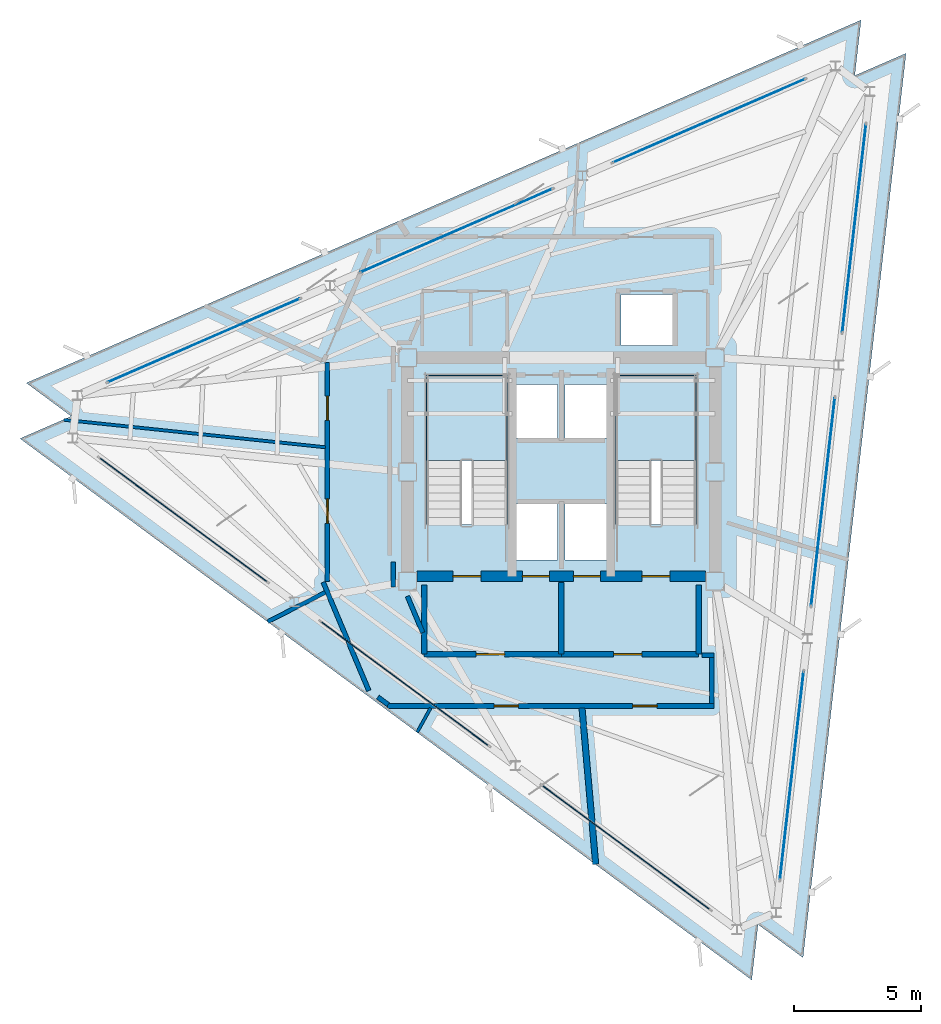
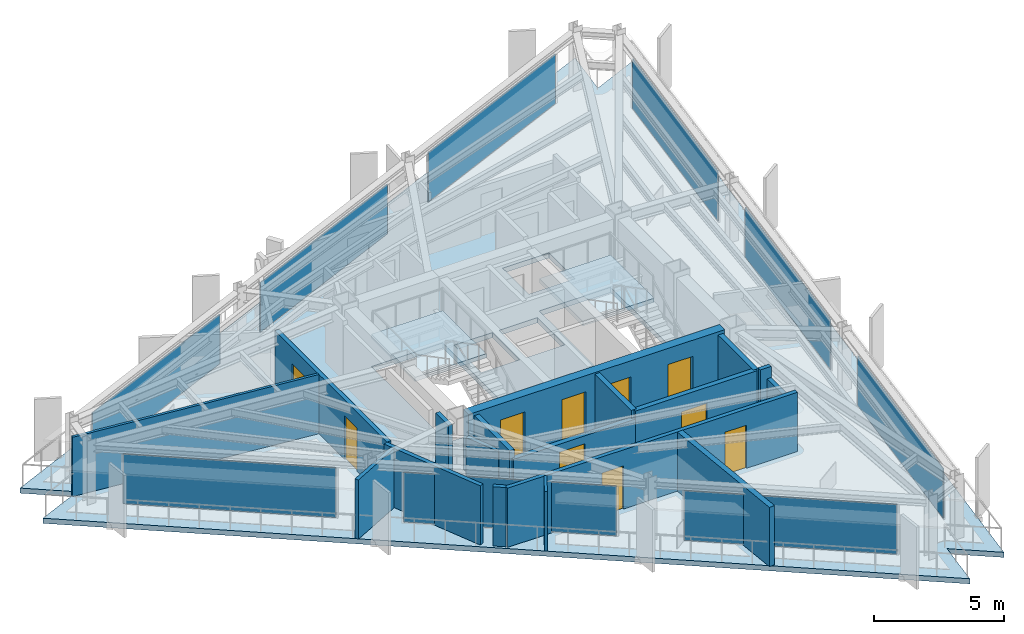
# One storey, part 5 of 10: 18 walls, 10 doors, 9 plates, 3 slabs, 10 openings, 11 elements without a shape of their own.
"""IFC4 building model written with IfcOpenShell, lengths in metres."""

from ifc_helpers import new_model, si_unit, direction, frame, frame_2d, origin, origin_2d, place, context, subcontext, project, spatial, polyline, rectangle, outline, extrude, material, layer, layer_set, type_object, element, fill, aggregate, save


model = new_model("IFC4")

# Units and contexts
model_context = context("Model", 3, precision=1e-05, world=origin(), true_north=direction((0.0, 1.0)))
body_context = subcontext(model_context, "Body", "Model", "MODEL_VIEW")
ifc_project = project(units=[si_unit("LENGTHUNIT", "METRE"), si_unit("AREAUNIT", "SQUARE_METRE"), si_unit("VOLUMEUNIT", "CUBIC_METRE"), si_unit("PLANEANGLEUNIT", "RADIAN"), si_unit("MASSUNIT", "GRAM", prefix="KILO")], contexts=[model_context])

# Site, building, storey
site_placement = place(None, origin())
site = spatial("IfcSite", under=ifc_project, at=site_placement, CompositionType="ELEMENT")
building_placement = place(site_placement, origin())
building = spatial("IfcBuilding", under=site, at=building_placement, Name="Rocaltana Carrier Exchange", CompositionType="ELEMENT")
storey_placement = place(building_placement, frame((0.0, 0.0, 224.0)))
storey = spatial("IfcBuildingStorey", under=building, at=storey_placement, Name="L71", CompositionType="ELEMENT", Elevation=224.0)

# Curtain wall, plate
ifc_material_1 = material(Name="Aluminium 6063-T6", Category="aluminium")
ifc_layer_1 = layer(ifc_material_1, 0.1201171875)
ifc_layer_set_1 = layer_set([ifc_layer_1], Name="Aluminium 6063-T6")
curtain_wall_type = type_object("IfcCurtainWallType", Name="High-Altitude Thermal Curtain Wall CW-05", PredefinedType="NOTDEFINED", material=ifc_layer_set_1)
curtain_wall_1_placement = place(storey_placement, origin())
curtain_wall_1 = element("IfcCurtainWall", 1, at=curtain_wall_1_placement, inside=storey, type_object=curtain_wall_type, Name="L71 CW-05 Run CW-L71-F1S1", PredefinedType="NOTDEFINED")
ifc_material_2 = material(Name="Tempered Laminated Glass", Category="glass")
ifc_layer_2 = layer(ifc_material_2, 0.035888671875)
ifc_layer_set_2 = layer_set([ifc_layer_2], Name="Tempered Laminated Glass")
plate_type = type_object("IfcPlateType", Name="CW-05 Stone-Insulated Vision Panel", PredefinedType="CURTAIN_PANEL", material=ifc_layer_set_2)
plate_1_placement = place(storey_placement, frame((9.061767578125, -11.935791015625, 0.06005859375), z_axis=(0.0, 0.0, 1.0), x_axis=(0.113208822277, 0.993571216652, 0.0)))
plate_1 = element("IfcPlate", 2, at=plate_1_placement, type_object=plate_type, Name="CW-05 panel 1.1", PredefinedType="CURTAIN_PANEL", context=body_context, shape_type="SweptSolid", body=[
    extrude(rectangle(XDim=8.21337890625, YDim=0.035888671875, at=origin_2d()), origin(), (0.0, 0.0, 1.0), 2.327880859375),
])
aggregate(curtain_wall_1, [plate_1])

curtain_wall_2_placement = place(storey_placement, origin())
curtain_wall_2 = element("IfcCurtainWall", 3, at=curtain_wall_2_placement, inside=storey, type_object=curtain_wall_type, Name="L71 CW-05 Run CW-L71-F1S2", PredefinedType="NOTDEFINED")
plate_2_placement = place(storey_placement, frame((10.2880859375, -1.172119140625, 0.06005859375), z_axis=(0.0, 0.0, 1.0), x_axis=(0.113208822277, 0.993571216652, 0.0)))
plate_2 = element("IfcPlate", 4, at=plate_2_placement, type_object=plate_type, Name="CW-05 panel 1.1", PredefinedType="CURTAIN_PANEL", context=body_context, shape_type="SweptSolid", body=[
    extrude(rectangle(XDim=8.21337890625, YDim=0.035888671875, at=origin_2d()), origin(), (0.0, 0.0, 1.0), 2.327880859375),
])
aggregate(curtain_wall_2, [plate_2])

curtain_wall_3_placement = place(storey_placement, origin())
curtain_wall_3 = element("IfcCurtainWall", 5, at=curtain_wall_3_placement, inside=storey, type_object=curtain_wall_type, Name="L71 CW-05 Run CW-L71-F1S3", PredefinedType="NOTDEFINED")
plate_3_placement = place(storey_placement, frame((11.5146484375, 9.591552734375, 0.06005859375), z_axis=(0.0, 0.0, 1.0), x_axis=(0.113196975964, 0.993572566365, 0.0)))
plate_3 = element("IfcPlate", 6, at=plate_3_placement, type_object=plate_type, Name="CW-05 panel 1.1", PredefinedType="CURTAIN_PANEL", context=body_context, shape_type="SweptSolid", body=[
    extrude(rectangle(XDim=8.21337890625, YDim=0.035888671875, at=origin_2d()), origin(), (0.0, 0.0, 1.0), 2.327880859375),
])
aggregate(curtain_wall_3, [plate_3])

curtain_wall_4_placement = place(storey_placement, origin())
curtain_wall_4 = element("IfcCurtainWall", 7, at=curtain_wall_4_placement, inside=storey, type_object=curtain_wall_type, Name="L71 CW-05 Run CW-L71-F2S1", PredefinedType="NOTDEFINED")
plate_4_placement = place(storey_placement, frame((5.805908203125, 13.815673828125, 0.06005859375), z_axis=(0.0, 0.0, 1.0), x_axis=(-0.917056701313, -0.39875682637, 0.0)))
plate_4 = element("IfcPlate", 8, at=plate_4_placement, type_object=plate_type, Name="CW-05 panel 1.1", PredefinedType="CURTAIN_PANEL", context=body_context, shape_type="SweptSolid", body=[
    extrude(rectangle(XDim=8.21337890625, YDim=0.035888671875, at=origin_2d()), origin(), (0.0, 0.0, 1.0), 2.327880859375),
])
aggregate(curtain_wall_4, [plate_4])

curtain_wall_5_placement = place(storey_placement, origin())
curtain_wall_5 = element("IfcCurtainWall", 9, at=curtain_wall_5_placement, inside=storey, type_object=curtain_wall_type, Name="L71 CW-05 Run CW-L71-F2S2", PredefinedType="NOTDEFINED")
plate_5_placement = place(storey_placement, frame((-4.12890625, 9.495849609375, 0.06005859375), z_axis=(0.0, 0.0, 1.0), x_axis=(-0.917058609352, -0.398752438254, 0.0)))
plate_5 = element("IfcPlate", 10, at=plate_5_placement, type_object=plate_type, Name="CW-05 panel 1.1", PredefinedType="CURTAIN_PANEL", context=body_context, shape_type="SweptSolid", body=[
    extrude(rectangle(XDim=8.21337890625, YDim=0.035888671875, at=origin_2d()), origin(), (0.0, 0.0, 1.0), 2.327880859375),
])
aggregate(curtain_wall_5, [plate_5])

curtain_wall_6_placement = place(storey_placement, origin())
curtain_wall_6 = element("IfcCurtainWall", 11, at=curtain_wall_6_placement, inside=storey, type_object=curtain_wall_type, Name="L71 CW-05 Run CW-L71-F2S3", PredefinedType="NOTDEFINED")
plate_6_placement = place(storey_placement, frame((-14.063720703125, 5.176025390625, 0.06005859375), z_axis=(0.0, 0.0, 1.0), x_axis=(-0.917056701313, -0.39875682637, 0.0)))
plate_6 = element("IfcPlate", 12, at=plate_6_placement, type_object=plate_type, Name="CW-05 panel 1.1", PredefinedType="CURTAIN_PANEL", context=body_context, shape_type="SweptSolid", body=[
    extrude(rectangle(XDim=8.21337890625, YDim=0.035888671875, at=origin_2d()), origin(), (0.0, 0.0, 1.0), 2.327880859375),
])
aggregate(curtain_wall_6, [plate_6])

curtain_wall_7_placement = place(storey_placement, origin())
curtain_wall_7 = element("IfcCurtainWall", 13, at=curtain_wall_7_placement, inside=storey, type_object=curtain_wall_type, Name="L71 CW-05 Run CW-L71-F3S1", PredefinedType="NOTDEFINED")
plate_7_placement = place(storey_placement, frame((-14.86767578125, -1.8798828125, 0.06005859375), z_axis=(0.0, 0.0, 1.0), x_axis=(0.803854063386, -0.594826566974, 0.0)))
plate_7 = element("IfcPlate", 14, at=plate_7_placement, type_object=plate_type, Name="CW-05 panel 1.1", PredefinedType="CURTAIN_PANEL", context=body_context, shape_type="SweptSolid", body=[
    extrude(rectangle(XDim=8.21337890625, YDim=0.035888671875, at=origin_2d()), origin(), (0.0, 0.0, 1.0), 2.327880859375),
])
aggregate(curtain_wall_7, [plate_7])

curtain_wall_8_placement = place(storey_placement, origin())
curtain_wall_8 = element("IfcCurtainWall", 15, at=curtain_wall_8_placement, inside=storey, type_object=curtain_wall_type, Name="L71 CW-05 Run CW-L71-F3S2", PredefinedType="NOTDEFINED")
plate_8_placement = place(storey_placement, frame((-6.1591796875, -8.32373046875, 0.06005859375), z_axis=(0.0, 0.0, 1.0), x_axis=(0.803858309141, -0.594820829179, 0.0)))
plate_8 = element("IfcPlate", 16, at=plate_8_placement, type_object=plate_type, Name="CW-05 panel 1.1", PredefinedType="CURTAIN_PANEL", context=body_context, shape_type="SweptSolid", body=[
    extrude(rectangle(XDim=8.21337890625, YDim=0.035888671875, at=origin_2d()), origin(), (0.0, 0.0, 1.0), 2.327880859375),
])
aggregate(curtain_wall_8, [plate_8])

curtain_wall_9_placement = place(storey_placement, origin())
curtain_wall_9 = element("IfcCurtainWall", 17, at=curtain_wall_9_placement, inside=storey, type_object=curtain_wall_type, Name="L71 CW-05 Run CW-L71-F3S3", PredefinedType="NOTDEFINED")
plate_9_placement = place(storey_placement, frame((2.54931640625, -14.767578125, 0.06005859375), z_axis=(0.0, 0.0, 1.0), x_axis=(0.803854063386, -0.594826566974, 0.0)))
plate_9 = element("IfcPlate", 18, at=plate_9_placement, type_object=plate_type, Name="CW-05 panel 1.1", PredefinedType="CURTAIN_PANEL", context=body_context, shape_type="SweptSolid", body=[
    extrude(rectangle(XDim=8.21337890625, YDim=0.035888671875, at=origin_2d()), origin(), (0.0, 0.0, 1.0), 2.327880859375),
])
aggregate(curtain_wall_9, [plate_9])

# Slab
ifc_material_3 = material(Name="Concrete C50/60", Category="concrete")
ifc_layer_3 = layer(ifc_material_3, 0.239990234375)
ifc_layer_set_3 = layer_set([ifc_layer_3], Name="Concrete C50/60")
slab_type_1 = type_object("IfcSlabType", Name="High-Zone Tower Slab 240", PredefinedType="FLOOR", material=ifc_layer_set_3)
slab_1_placement = place(storey_placement, frame((0.0, 0.0, -0.239990234375)))
element("IfcSlab", 19, at=slab_1_placement, inside=storey, type_object=slab_type_1, Name="L71 Structural Floor Slab", PredefinedType="FLOOR", context=body_context, shape_type="SweptSolid", body=[
    extrude(outline(polyline([(7.486328125, -19.975830078125), (7.7353515625, -17.7900390625), (9.50390625, -19.0986328125), (13.556396484375, 16.47119140625), (11.538818359375, 15.593994140625), (11.7880859375, 17.77978515625), (-21.042724609375, 3.504638671875), (-19.2744140625, 2.196044921875), (-21.291748046875, 1.31884765625), (7.486328125, -19.975830078125)]), holes=[polyline([(-5.300048828125, -2.06005859375), (-2.139892578125, -2.06005859375), (-2.139892578125, 3.800048828125), (-5.300048828125, 3.800048828125), (-5.300048828125, -2.06005859375)]), polyline([(2.139892578125, -2.06005859375), (5.300048828125, -2.06005859375), (5.300048828125, 3.800048828125), (2.139892578125, 3.800048828125), (2.139892578125, -2.06005859375)]), polyline([(-1.85009765625, -3.449951171875), (-0.14990234375, -3.449951171875), (-0.14990234375, -1.25), (-1.85009765625, -1.25), (-1.85009765625, -3.449951171875)]), polyline([(0.14990234375, -3.449951171875), (1.85009765625, -3.449951171875), (1.85009765625, -1.25), (0.14990234375, -1.25), (0.14990234375, -3.449951171875)]), polyline([(2.35009765625, 4.97998046875), (4.39990234375, 4.97998046875), (4.39990234375, 6.97998046875), (2.35009765625, 6.97998046875), (2.35009765625, 4.97998046875)]), polyline([(-1.85009765625, 1.35009765625), (-0.14990234375, 1.35009765625), (-0.14990234375, 3.449951171875), (-1.85009765625, 3.449951171875), (-1.85009765625, 1.35009765625)]), polyline([(0.14990234375, 1.35009765625), (1.85009765625, 1.35009765625), (1.85009765625, 3.449951171875), (0.14990234375, 3.449951171875), (0.14990234375, 1.35009765625)])]), origin(), (0.0, 0.0, 1.0), 0.239990234375),
])

# Stair, slab
ifc_material_4 = material(Name="Precast concrete C45/55", Category="concrete")
stair_type = type_object("IfcStairType", Name="Standard Dog-Leg Stair 160", PredefinedType="HALF_TURN_STAIR", material=ifc_material_4)
stair_1_placement = place(storey_placement, origin())
stair_1 = element("IfcStair", 20, at=stair_1_placement, inside=storey, type_object=stair_type, Name="L71 Core West Exit Stair ST-1", PredefinedType="HALF_TURN_STAIR")
ifc_material_5 = material(Name="Precast concrete C45/55", Category="concrete")
ifc_layer_4 = layer(ifc_material_5, 0.199951171875)
ifc_layer_set_4 = layer_set([ifc_layer_4], Name="Precast concrete C45/55")
slab_type_2 = type_object("IfcSlabType", Name="Precast Stair Half-Landing 200", PredefinedType="LANDING", material=ifc_layer_set_4)
slab_2_placement = place(storey_placement, frame((0.0, 0.0, 1.320068359375)))
slab_2 = element("IfcSlab", 21, at=slab_2_placement, type_object=slab_type_2, Name="ST-1 landing 1", PredefinedType="LANDING", context=body_context, shape_type="SweptSolid", body=[
    extrude(outline(polyline([(-2.139892578125, 0.4599609375), (-2.139892578125, 3.800048828125), (-5.300048828125, 3.800048828125), (-5.300048828125, 0.4599609375), (-2.139892578125, 0.4599609375)])), origin(), (0.0, 0.0, 1.0), 0.199951171875),
])
aggregate(stair_1, [slab_2])

stair_2_placement = place(storey_placement, origin())
stair_2 = element("IfcStair", 22, at=stair_2_placement, inside=storey, type_object=stair_type, Name="L71 Core East Exit Stair ST-2", PredefinedType="HALF_TURN_STAIR")
slab_3_placement = place(storey_placement, frame((0.0, 0.0, 1.320068359375)))
slab_3 = element("IfcSlab", 23, at=slab_3_placement, type_object=slab_type_2, Name="ST-2 landing 1", PredefinedType="LANDING", context=body_context, shape_type="SweptSolid", body=[
    extrude(outline(polyline([(5.300048828125, 0.4599609375), (5.300048828125, 3.800048828125), (2.139892578125, 3.800048828125), (2.139892578125, 0.4599609375), (5.300048828125, 0.4599609375)])), origin(), (0.0, 0.0, 1.0), 0.199951171875),
])
aggregate(stair_2, [slab_3])

# Wall
ifc_material_6 = material(Name="Double Acoustic Gypsum Partition", Category="gypsum")
ifc_layer_5 = layer(ifc_material_6, 0.159912109375)
ifc_layer_set_5 = layer_set([ifc_layer_5], Name="Double Acoustic Gypsum Partition")
wall_type_1 = type_object("IfcWallType", Name="Acoustic Studio Partition 160 EI60", PredefinedType="PARTITIONING", material=ifc_layer_set_5)
wall_1_placement = place(storey_placement, frame((-9.28564453125, -4.731201171875, 0.0), z_axis=(0.0, 0.0, 1.0), x_axis=(-0.890990970919, -0.454021023456, 0.0)))
element("IfcWall", 24, at=wall_1_placement, inside=storey, type_object=wall_type_1, Name="L71 Suite Divider Wall D1", PredefinedType="PARTITIONING", context=body_context, shape_type="SweptSolid", body=[
    extrude(rectangle(XDim=2.534423828125, YDim=0.159912109375, at=frame_2d((1.26708984375, 0.0))), origin(), (0.0, 0.0, 1.0), 2.77294921875),
])

# Wall, openings, doors
ifc_material_7 = material(Name="Concrete C50/60", Category="concrete")
ifc_layer_6 = layer(ifc_material_7, 0.39990234375)
ifc_layer_set_6 = layer_set([ifc_layer_6], Name="Concrete C50/60")
wall_type_2 = type_object("IfcWallType", Name="Core Internal Shear Wall 400", PredefinedType="SHEAR", material=ifc_layer_set_6)
wall_2_placement = place(storey_placement, frame((-5.675048828125, -4.10009765625, 0.0), z_axis=(0.0, 0.0, 1.0), x_axis=(1.0, 0.0, 0.0)))
wall_2 = element("IfcWall", 25, at=wall_2_placement, inside=storey, type_object=wall_type_2, Name="L71 Core Shear Wall CW-S", PredefinedType="SHEAR", context=body_context, shape_type="SweptSolid", body=[
    extrude(rectangle(XDim=11.35009765625, YDim=0.39990234375, at=frame_2d((5.675048828125, 0.0))), origin(), (0.0, 0.0, 1.0), 2.798095703125),
])
opening_1_placement = place(wall_2_placement, frame((1.405029296875, 0.0, 0.0)))
opening_1 = element("IfcOpeningElement", 26, at=opening_1_placement, cuts=wall_2, Name="Opening D-ST110", PredefinedType="OPENING", context=body_context, shape_type="SweptSolid", body=[
    extrude(rectangle(XDim=1.10009765625, YDim=2.0400390625, at=frame_2d((0.550048828125, 1.02001953125))), frame((0.0, 0.2099609375, 0.0), z_axis=(0.0, -1.0, 0.0), x_axis=(1.0, 0.0, 0.0)), (0.0, 0.0, 1.0), 0.419921875),
])
opening_2_placement = place(wall_2_placement, frame((8.844970703125, 0.0, 0.0)))
opening_2 = element("IfcOpeningElement", 27, at=opening_2_placement, cuts=wall_2, Name="Opening D-ST110", PredefinedType="OPENING", context=body_context, shape_type="SweptSolid", body=[
    extrude(rectangle(XDim=1.10009765625, YDim=2.0400390625, at=frame_2d((0.550048828125, 1.02001953125))), frame((0.0, 0.2099609375, 0.0), z_axis=(0.0, -1.0, 0.0), x_axis=(1.0, 0.0, 0.0)), (0.0, 0.0, 1.0), 0.419921875),
])
opening_3_placement = place(wall_2_placement, frame((4.14501953125, 0.0, 0.0)))
opening_3 = element("IfcOpeningElement", 28, at=opening_3_placement, cuts=wall_2, Name="Opening LD-110", PredefinedType="OPENING", context=body_context, shape_type="SweptSolid", body=[
    extrude(rectangle(XDim=1.06005859375, YDim=2.0400390625, at=frame_2d((0.530029296875, 1.02001953125))), frame((0.0, 0.2099609375, 0.0), z_axis=(0.0, -1.0, 0.0), x_axis=(1.0, 0.0, 0.0)), (0.0, 0.0, 1.0), 0.419921875),
])
opening_4_placement = place(wall_2_placement, frame((6.14501953125, 0.0, 0.0)))
opening_4 = element("IfcOpeningElement", 29, at=opening_4_placement, cuts=wall_2, Name="Opening LD-110", PredefinedType="OPENING", context=body_context, shape_type="SweptSolid", body=[
    extrude(rectangle(XDim=1.06005859375, YDim=2.0400390625, at=frame_2d((0.530029296875, 1.02001953125))), frame((0.0, 0.2099609375, 0.0), z_axis=(0.0, -1.0, 0.0), x_axis=(1.0, 0.0, 0.0)), (0.0, 0.0, 1.0), 0.419921875),
])
ifc_material_8 = material(Name="Hollow Metal Fire Door Assembly", Category="steel")
door_type_1 = type_object("IfcDoorType", Name="Exit Stair Fire Door 1100x2040 FD90S", OperationType="NOTDEFINED", PredefinedType="DOOR", material=ifc_material_8)
door_1_placement = place(opening_1_placement, origin())
door_1 = element("IfcDoor", 30, at=door_1_placement, inside=storey, type_object=door_type_1, Name="L71 Exit Stair ST1 Fire Door", OperationType="SINGLE_SWING_RIGHT", OverallHeight=2.0400390625, OverallWidth=1.10009765625, PredefinedType="DOOR", context=body_context, shape_type="SweptSolid", body=[
    extrude(rectangle(XDim=1.10009765625, YDim=2.0400390625, at=frame_2d((0.550048828125, 1.02001953125))), frame((0.0, 0.02490234375, 0.0), z_axis=(0.0, -1.0, 0.0), x_axis=(1.0, 0.0, 0.0)), (0.0, 0.0, 1.0), 0.050048828125),
])
fill(opening_1, door_1)
door_2_placement = place(opening_2_placement, origin())
door_2 = element("IfcDoor", 31, at=door_2_placement, inside=storey, type_object=door_type_1, Name="L71 Exit Stair ST2 Fire Door", OperationType="SINGLE_SWING_LEFT", OverallHeight=2.0400390625, OverallWidth=1.10009765625, PredefinedType="DOOR", context=body_context, shape_type="SweptSolid", body=[
    extrude(rectangle(XDim=1.10009765625, YDim=2.0400390625, at=frame_2d((0.550048828125, 1.02001953125))), frame((0.0, 0.02490234375, 0.0), z_axis=(0.0, -1.0, 0.0), x_axis=(1.0, 0.0, 0.0)), (0.0, 0.0, 1.0), 0.050048828125),
])
fill(opening_2, door_2)
ifc_material_9 = material(Name="Brushed Stainless Sliding Door Leaf", Category="steel")
door_type_2 = type_object("IfcDoorType", Name="Lift Landing Sliding Door 1060x2040", OperationType="NOTDEFINED", PredefinedType="DOOR", material=ifc_material_9)
door_3_placement = place(opening_3_placement, origin())
door_3 = element("IfcDoor", 32, at=door_3_placement, inside=storey, type_object=door_type_2, Name="L71 Firefighting Lift FFL1 Landing Door", OperationType="SLIDING_TO_LEFT", OverallHeight=2.0400390625, OverallWidth=1.06005859375, PredefinedType="DOOR", context=body_context, shape_type="SweptSolid", body=[
    extrude(rectangle(XDim=1.06005859375, YDim=2.0400390625, at=frame_2d((0.530029296875, 1.02001953125))), frame((0.0, 0.02490234375, 0.0), z_axis=(0.0, -1.0, 0.0), x_axis=(1.0, 0.0, 0.0)), (0.0, 0.0, 1.0), 0.050048828125),
])
fill(opening_3, door_3)
door_4_placement = place(opening_4_placement, origin())
door_4 = element("IfcDoor", 33, at=door_4_placement, inside=storey, type_object=door_type_2, Name="L71 Firefighting Lift FFL2 Landing Door", OperationType="SLIDING_TO_RIGHT", OverallHeight=2.0400390625, OverallWidth=1.06005859375, PredefinedType="DOOR", context=body_context, shape_type="SweptSolid", body=[
    extrude(rectangle(XDim=1.06005859375, YDim=2.0400390625, at=frame_2d((0.530029296875, 1.02001953125))), frame((0.0, 0.02490234375, 0.0), z_axis=(0.0, -1.0, 0.0), x_axis=(1.0, 0.0, 0.0)), (0.0, 0.0, 1.0), 0.050048828125),
])
fill(opening_4, door_4)

# Wall
ifc_material_10 = material(Name="Gypsum & Steel Stud Partition", Category="steel")
ifc_layer_7 = layer(ifc_material_10, 0.179931640625)
ifc_layer_set_7 = layer_set([ifc_layer_7], Name="Gypsum & Steel Stud Partition")
wall_type_3 = type_object("IfcWallType", Name="Corridor Fire Partition 180 EI60", PredefinedType="PARTITIONING", material=ifc_layer_set_7)
wall_3_placement = place(storey_placement, frame((-7.573974609375, -8.595703125, 0.0), z_axis=(0.0, 0.0, 1.0), x_axis=(-0.38757793583, 0.921836939842, 0.0)))
element("IfcWall", 34, at=wall_3_placement, inside=storey, type_object=wall_type_3, Name="L71 Corridor Partition 1", PredefinedType="PARTITIONING", context=body_context, shape_type="SweptSolid", body=[
    extrude(rectangle(XDim=4.62548828125, YDim=0.179931640625, at=frame_2d((2.312744140625, 0.0))), origin(), (0.0, 0.0, 1.0), 2.77294921875),
])

# Wall, openings, doors
wall_4_placement = place(storey_placement, frame((-9.199951171875, -4.303466796875, 0.0), z_axis=(0.0, 0.0, 1.0), x_axis=(0.0, 1.0, 0.0)))
wall_4 = element("IfcWall", 35, at=wall_4_placement, inside=storey, type_object=wall_type_3, Name="L71 Corridor Partition 2", PredefinedType="PARTITIONING", context=body_context, shape_type="SweptSolid", body=[
    extrude(rectangle(XDim=8.60693359375, YDim=0.179931640625, at=frame_2d((4.303466796875, 0.0))), origin(), (0.0, 0.0, 1.0), 2.77294921875),
])
opening_5_placement = place(wall_4_placement, frame((2.289306640625, 0.0, 0.0)))
opening_5 = element("IfcOpeningElement", 36, at=opening_5_placement, cuts=wall_4, Name="Opening D-RM098", PredefinedType="OPENING", context=body_context, shape_type="SweptSolid", body=[
    extrude(rectangle(XDim=0.9599609375, YDim=2.02001953125, at=frame_2d((0.47998046875, 1.010009765625))), frame((0.0, 0.099853515625, 0.0), z_axis=(0.0, -1.0, 0.0), x_axis=(1.0, 0.0, 0.0)), (0.0, 0.0, 1.0), 0.199951171875),
])
opening_6_placement = place(wall_4_placement, frame((6.3330078125, 0.0, 0.0)))
opening_6 = element("IfcOpeningElement", 37, at=opening_6_placement, cuts=wall_4, Name="Opening D-RM098", PredefinedType="OPENING", context=body_context, shape_type="SweptSolid", body=[
    extrude(rectangle(XDim=0.9599609375, YDim=2.02001953125, at=frame_2d((0.47998046875, 1.010009765625))), frame((0.0, 0.099853515625, 0.0), z_axis=(0.0, -1.0, 0.0), x_axis=(1.0, 0.0, 0.0)), (0.0, 0.0, 1.0), 0.199951171875),
])
ifc_material_11 = material(Name="Engineered Hardwood Timber", Category="wood")
door_type_3 = type_object("IfcDoorType", Name="Workspace Single Door 960x2020", OperationType="NOTDEFINED", PredefinedType="DOOR", material=ifc_material_11)
door_5_placement = place(opening_5_placement, origin())
door_5 = element("IfcDoor", 38, at=door_5_placement, inside=storey, type_object=door_type_3, Name="L71 Client Reception Foyer Entrance Door", OperationType="SINGLE_SWING_LEFT", OverallHeight=2.02001953125, OverallWidth=0.9599609375, PredefinedType="DOOR", context=body_context, shape_type="SweptSolid", body=[
    extrude(rectangle(XDim=0.9599609375, YDim=2.02001953125, at=frame_2d((0.47998046875, 1.010009765625))), frame((0.0, 0.02490234375, 0.0), z_axis=(0.0, -1.0, 0.0), x_axis=(1.0, 0.0, 0.0)), (0.0, 0.0, 1.0), 0.050048828125),
])
fill(opening_5, door_5)
door_6_placement = place(opening_6_placement, origin())
door_6 = element("IfcDoor", 39, at=door_6_placement, inside=storey, type_object=door_type_3, Name="L71 Client Reception Foyer Entrance Door", OperationType="SINGLE_SWING_LEFT", OverallHeight=2.02001953125, OverallWidth=0.9599609375, PredefinedType="DOOR", context=body_context, shape_type="SweptSolid", body=[
    extrude(rectangle(XDim=0.9599609375, YDim=2.02001953125, at=frame_2d((0.47998046875, 1.010009765625))), frame((0.0, 0.02490234375, 0.0), z_axis=(0.0, -1.0, 0.0), x_axis=(1.0, 0.0, 0.0)), (0.0, 0.0, 1.0), 0.050048828125),
])
fill(opening_6, door_6)

# Walls
wall_5_placement = place(storey_placement, frame((-6.610107421875, -3.541259765625, 0.0), z_axis=(0.0, 0.0, 1.0), x_axis=(0.0, -1.0, 0.0)))
element("IfcWall", 40, at=wall_5_placement, inside=storey, type_object=wall_type_3, Name="L71 Corridor Partition 12", PredefinedType="PARTITIONING", context=body_context, shape_type="SweptSolid", body=[
    extrude(rectangle(XDim=0.978759765625, YDim=0.179931640625, at=frame_2d((0.4892578125, 0.0))), origin(), (0.0, 0.0, 1.0), 2.77294921875),
])
wall_6_placement = place(storey_placement, frame((-6.0546875, -4.881591796875, 0.0), z_axis=(0.0, 0.0, 1.0), x_axis=(0.387579540458, -0.921836265189, 0.0)))
element("IfcWall", 41, at=wall_6_placement, inside=storey, type_object=wall_type_3, Name="L71 Corridor Partition 13", PredefinedType="PARTITIONING", context=body_context, shape_type="SweptSolid", body=[
    extrude(rectangle(XDim=1.5546875, YDim=0.179931640625, at=frame_2d((0.77734375, 0.0))), origin(), (0.0, 0.0, 1.0), 2.2529296875),
])
wall_7_placement = place(storey_placement, frame((5.530029296875, -7.199951171875, 0.0), z_axis=(0.0, 0.0, 1.0), x_axis=(1.0, 0.0, 0.0)))
element("IfcWall", 42, at=wall_7_placement, inside=storey, type_object=wall_type_3, Name="L71 Corridor Partition 14", PredefinedType="PARTITIONING", context=body_context, shape_type="SweptSolid", body=[
    extrude(rectangle(XDim=0.47998046875, YDim=0.179931640625, at=frame_2d((0.239990234375, 0.0))), origin(), (0.0, 0.0, 1.0), 2.77294921875),
])
wall_8_placement = place(storey_placement, frame((5.919921875, -7.2900390625, 0.0), z_axis=(0.0, 0.0, 1.0), x_axis=(0.0, -1.0, 0.0)))
element("IfcWall", 43, at=wall_8_placement, inside=storey, type_object=wall_type_3, Name="L71 Corridor Partition 15", PredefinedType="PARTITIONING", context=body_context, shape_type="SweptSolid", body=[
    extrude(rectangle(XDim=1.820068359375, YDim=0.179931640625, at=frame_2d((0.91015625, 0.0))), origin(), (0.0, 0.0, 1.0), 2.2529296875),
])

# Wall, openings, doors
wall_9_placement = place(storey_placement, frame((6.010009765625, -9.199951171875, 0.0), z_axis=(0.0, 0.0, 1.0), x_axis=(-1.0, 0.0, 0.0)))
wall_9 = element("IfcWall", 44, at=wall_9_placement, inside=storey, type_object=wall_type_3, Name="L71 Corridor Partition 16", PredefinedType="PARTITIONING", context=body_context, shape_type="SweptSolid", body=[
    extrude(rectangle(XDim=12.840087890625, YDim=0.179931640625, at=frame_2d((6.419921875, 0.0))), origin(), (0.0, 0.0, 1.0), 2.77294921875),
])
opening_7_placement = place(wall_9_placement, frame((7.6982421875, 0.0, 0.0)))
opening_7 = element("IfcOpeningElement", 45, at=opening_7_placement, cuts=wall_9, Name="Opening D-RM098", PredefinedType="OPENING", context=body_context, shape_type="SweptSolid", body=[
    extrude(rectangle(XDim=0.9599609375, YDim=2.02001953125, at=frame_2d((0.47998046875, 1.010009765625))), frame((0.0, 0.099853515625, 0.0), z_axis=(0.0, -1.0, 0.0), x_axis=(1.0, 0.0, 0.0)), (0.0, 0.0, 1.0), 0.199951171875),
])
opening_8_placement = place(wall_9_placement, frame((2.2490234375, 0.0, 0.0)))
opening_8 = element("IfcOpeningElement", 46, at=opening_8_placement, cuts=wall_9, Name="Opening D-RM098", PredefinedType="OPENING", context=body_context, shape_type="SweptSolid", body=[
    extrude(rectangle(XDim=0.9599609375, YDim=2.02001953125, at=frame_2d((0.47998046875, 1.010009765625))), frame((0.0, 0.099853515625, 0.0), z_axis=(0.0, -1.0, 0.0), x_axis=(1.0, 0.0, 0.0)), (0.0, 0.0, 1.0), 0.199951171875),
])
door_7_placement = place(opening_7_placement, origin())
door_7 = element("IfcDoor", 47, at=door_7_placement, inside=storey, type_object=door_type_3, Name="L71 Staff Break Pantry Entrance Door", OperationType="SINGLE_SWING_RIGHT", OverallHeight=2.02001953125, OverallWidth=0.9599609375, PredefinedType="DOOR", context=body_context, shape_type="SweptSolid", body=[
    extrude(rectangle(XDim=0.9599609375, YDim=2.02001953125, at=frame_2d((0.47998046875, 1.010009765625))), frame((0.0, 0.02490234375, 0.0), z_axis=(0.0, -1.0, 0.0), x_axis=(1.0, 0.0, 0.0)), (0.0, 0.0, 1.0), 0.050048828125),
])
fill(opening_7, door_7)
door_8_placement = place(opening_8_placement, origin())
door_8 = element("IfcDoor", 48, at=door_8_placement, inside=storey, type_object=door_type_3, Name="L71 Client Reception Foyer Entrance Door", OperationType="SINGLE_SWING_LEFT", OverallHeight=2.02001953125, OverallWidth=0.9599609375, PredefinedType="DOOR", context=body_context, shape_type="SweptSolid", body=[
    extrude(rectangle(XDim=0.9599609375, YDim=2.02001953125, at=frame_2d((0.47998046875, 1.010009765625))), frame((0.0, 0.02490234375, 0.0), z_axis=(0.0, -1.0, 0.0), x_axis=(1.0, 0.0, 0.0)), (0.0, 0.0, 1.0), 0.050048828125),
])
fill(opening_8, door_8)

# Walls
wall_10_placement = place(storey_placement, frame((-6.8125, -9.146484375, 0.0), z_axis=(0.0, 0.0, 1.0), x_axis=(-0.803893055119, 0.594773869577, 0.0)))
element("IfcWall", 49, at=wall_10_placement, inside=storey, type_object=wall_type_3, Name="L71 Corridor Partition 17", PredefinedType="PARTITIONING", context=body_context, shape_type="SweptSolid", body=[
    extrude(rectangle(XDim=0.501953125, YDim=0.179931640625, at=frame_2d((0.2509765625, 0.0))), origin(), (0.0, 0.0, 1.0), 2.77294921875),
])
ifc_material_12 = material(Name="Aluminium 6063-T6 & Acoustic Glass", Category="aluminium")
ifc_layer_8 = layer(ifc_material_12, 0.114990234375)
ifc_layer_set_8 = layer_set([ifc_layer_8], Name="Aluminium 6063-T6 & Acoustic Glass")
wall_type_4 = type_object("IfcWallType", Name="Demountable Glazed Lab Partition 115", PredefinedType="MOVABLE", material=ifc_layer_set_8)
wall_11_placement = place(storey_placement, frame((-5.14404296875, -9.280029296875, 0.0), z_axis=(0.0, 0.0, 1.0), x_axis=(-0.484725114425, -0.874666544144, 0.0)))
element("IfcWall", 50, at=wall_11_placement, inside=storey, type_object=wall_type_4, Name="L71 Suite Divider Wall D2", PredefinedType="MOVABLE", context=body_context, shape_type="SweptSolid", body=[
    extrude(rectangle(XDim=1.08447265625, YDim=0.114990234375, at=frame_2d((0.542236328125, 0.0))), origin(), (0.0, 0.0, 1.0), 2.77294921875),
])
wall_12_placement = place(storey_placement, frame((-9.280029296875, 0.975341796875, 0.0), z_axis=(0.0, 0.0, 1.0), x_axis=(-0.994520958229, 0.104537379166, 0.0)))
element("IfcWall", 51, at=wall_12_placement, inside=storey, type_object=wall_type_4, Name="L71 Suite Divider Wall D8", PredefinedType="MOVABLE", context=body_context, shape_type="SweptSolid", body=[
    extrude(rectangle(XDim=10.345947265625, YDim=0.114990234375, at=frame_2d((5.1728515625, 0.0))), origin(), (0.0, 0.0, 1.0), 2.77294921875),
])
ifc_material_13 = material(Name="Autoclaved Aerated Concrete C30/37", Category="concrete")
ifc_layer_9 = layer(ifc_material_13, 0.219970703125)
ifc_layer_set_9 = layer_set([ifc_layer_9], Name="Autoclaved Aerated Concrete C30/37")
wall_type_5 = type_object("IfcWallType", Name="Firefighting Lobby Wall 220 EI120", PredefinedType="PARTITIONING", material=ifc_layer_set_9)
for number, where, z_axis, x_axis, name in (
    (52, (-5.39990234375, -7.159912109375, 0.0), (0.0, 0.0, 1.0), (0.0, 1.0, 0.0), "L71 FFL Lobby 1 West Wall"),
    (53, (5.39990234375, -7.159912109375, 0.0), (0.0, 0.0, 1.0), (0.0, 1.0, 0.0), "L71 FFL Lobby 2 East Wall"),
):
    element("IfcWall", number, at=place(storey_placement, frame(where, z_axis=z_axis, x_axis=x_axis)), inside=storey, type_object=wall_type_5, Name=name, PredefinedType="PARTITIONING", context=body_context, shape_type="SweptSolid", body=[
        extrude(rectangle(XDim=2.7099609375, YDim=0.219970703125, at=frame_2d((1.35498046875, 0.0))), origin(), (0.0, 0.0, 1.0), 2.77294921875),
    ])
wall_13_placement = place(storey_placement, frame((0.0, -7.159912109375, 0.0), z_axis=(0.0, 0.0, 1.0), x_axis=(0.0, 1.0, 0.0)))
element("IfcWall", 54, at=wall_13_placement, inside=storey, type_object=wall_type_5, Name="L71 FFL Lobby Centre Wall", PredefinedType="PARTITIONING", context=body_context, shape_type="SweptSolid", body=[
    extrude(rectangle(XDim=2.809814453125, YDim=0.219970703125, at=frame_2d((1.40478515625, 0.0))), origin(), (0.0, 0.0, 1.0), 2.77294921875),
])

# Wall, opening, door
wall_14_placement = place(storey_placement, frame((-5.39990234375, -7.159912109375, 0.0), z_axis=(0.0, 0.0, 1.0), x_axis=(1.0, 0.0, 0.0)))
wall_14 = element("IfcWall", 55, at=wall_14_placement, inside=storey, type_object=wall_type_5, Name="L71 FFL Lobby 1 South Wall", PredefinedType="PARTITIONING", context=body_context, shape_type="SweptSolid", body=[
    extrude(rectangle(XDim=5.39990234375, YDim=0.219970703125, at=frame_2d((2.699951171875, 0.0))), origin(), (0.0, 0.0, 1.0), 2.39501953125),
])
opening_9_placement = place(wall_14_placement, frame((2.050048828125, 0.0, 0.0)))
opening_9 = element("IfcOpeningElement", 56, at=opening_9_placement, cuts=wall_14, Name="Opening D-FF115", PredefinedType="OPENING", context=body_context, shape_type="SweptSolid", body=[
    extrude(rectangle(XDim=1.1201171875, YDim=2.02001953125, at=frame_2d((0.56005859375, 1.010009765625))), frame((0.0, 0.119873046875, 0.0), z_axis=(0.0, -1.0, 0.0), x_axis=(1.0, 0.0, 0.0)), (0.0, 0.0, 1.0), 0.239990234375),
])
ifc_material_14 = material(Name="Hollow Metal Fire Door Assembly", Category="steel")
door_type_4 = type_object("IfcDoorType", Name="Firefighting Lobby Door 1120x2020 FD60S", OperationType="NOTDEFINED", PredefinedType="DOOR", material=ifc_material_14)
door_9_placement = place(opening_9_placement, origin())
door_9 = element("IfcDoor", 57, at=door_9_placement, inside=storey, type_object=door_type_4, Name="L71 Firefighting Lift Lobby 1 Door", OperationType="SINGLE_SWING_RIGHT", OverallHeight=2.02001953125, OverallWidth=1.1201171875, PredefinedType="DOOR", context=body_context, shape_type="SweptSolid", body=[
    extrude(rectangle(XDim=1.1201171875, YDim=2.02001953125, at=frame_2d((0.56005859375, 1.010009765625))), frame((0.0, 0.02490234375, 0.0), z_axis=(0.0, -1.0, 0.0), x_axis=(1.0, 0.0, 0.0)), (0.0, 0.0, 1.0), 0.050048828125),
])
fill(opening_9, door_9)

wall_15_placement = place(storey_placement, frame((0.0, -7.159912109375, 0.0), z_axis=(0.0, 0.0, 1.0), x_axis=(1.0, 0.0, 0.0)))
wall_15 = element("IfcWall", 58, at=wall_15_placement, inside=storey, type_object=wall_type_5, Name="L71 FFL Lobby 2 South Wall", PredefinedType="PARTITIONING", context=body_context, shape_type="SweptSolid", body=[
    extrude(rectangle(XDim=5.39990234375, YDim=0.219970703125, at=frame_2d((2.699951171875, 0.0))), origin(), (0.0, 0.0, 1.0), 2.77294921875),
])
opening_10_placement = place(wall_15_placement, frame((2.050048828125, 0.0, 0.0)))
opening_10 = element("IfcOpeningElement", 59, at=opening_10_placement, cuts=wall_15, Name="Opening D-FF115", PredefinedType="OPENING", context=body_context, shape_type="SweptSolid", body=[
    extrude(rectangle(XDim=1.1201171875, YDim=2.02001953125, at=frame_2d((0.56005859375, 1.010009765625))), frame((0.0, 0.119873046875, 0.0), z_axis=(0.0, -1.0, 0.0), x_axis=(1.0, 0.0, 0.0)), (0.0, 0.0, 1.0), 0.239990234375),
])
door_10_placement = place(opening_10_placement, origin())
door_10 = element("IfcDoor", 60, at=door_10_placement, inside=storey, type_object=door_type_4, Name="L71 Firefighting Lift Lobby 2 Door", OperationType="SINGLE_SWING_LEFT", OverallHeight=2.02001953125, OverallWidth=1.1201171875, PredefinedType="DOOR", context=body_context, shape_type="SweptSolid", body=[
    extrude(rectangle(XDim=1.1201171875, YDim=2.02001953125, at=frame_2d((0.56005859375, 1.010009765625))), frame((0.0, 0.02490234375, 0.0), z_axis=(0.0, -1.0, 0.0), x_axis=(1.0, 0.0, 0.0)), (0.0, 0.0, 1.0), 0.050048828125),
])
fill(opening_10, door_10)

# Wall
ifc_material_15 = material(Name="Acoustic Calcium Silicate Partition", Category="gypsum")
ifc_layer_10 = layer(ifc_material_15, 0.239990234375)
ifc_layer_set_10 = layer_set([ifc_layer_10], Name="Acoustic Calcium Silicate Partition")
wall_type_6 = type_object("IfcWallType", Name="Heavy Lab Partition 240 EI90", PredefinedType="PARTITIONING", material=ifc_layer_set_10)
wall_16_placement = place(storey_placement, frame((0.81201171875, -9.280029296875, 0.0), z_axis=(0.0, 0.0, 1.0), x_axis=(0.087150741032, -0.996195135673, 0.0)))
element("IfcWall", 61, at=wall_16_placement, inside=storey, type_object=wall_type_6, Name="L71 Suite Divider Wall D3", PredefinedType="PARTITIONING", context=body_context, shape_type="SweptSolid", body=[
    extrude(rectangle(XDim=6.165771484375, YDim=0.239990234375, at=frame_2d((3.0830078125, 0.0))), origin(), (0.0, 0.0, 1.0), 2.77294921875),
])

save(model, "model.ifc")
